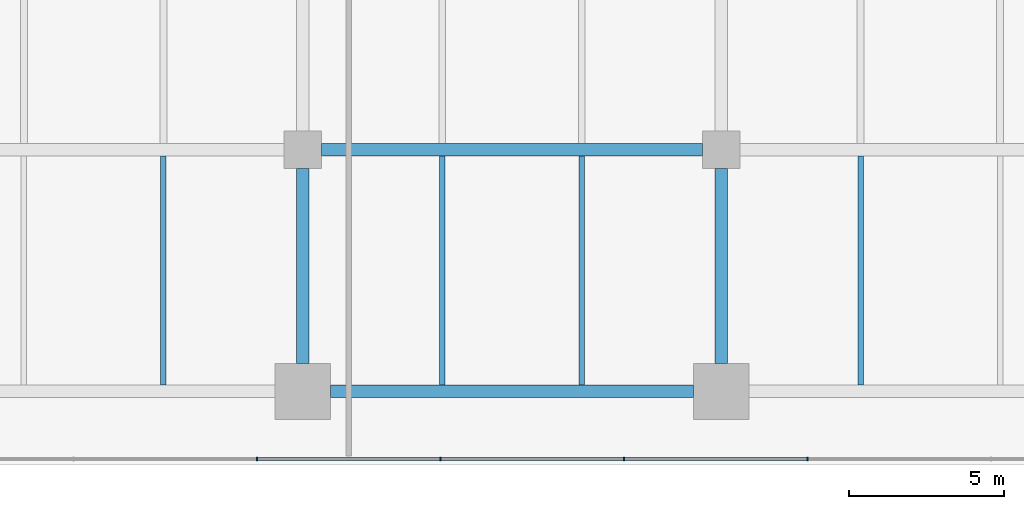
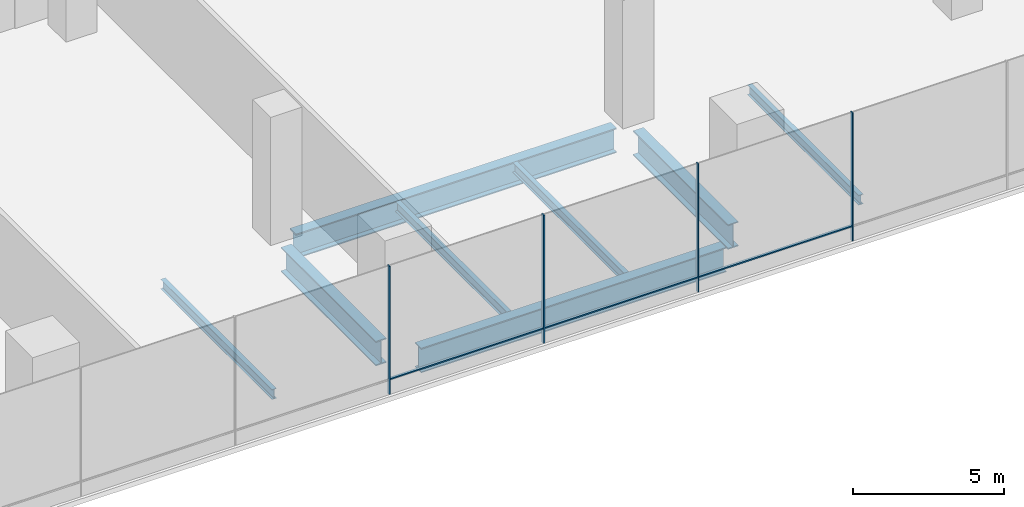
# One storey, part 6 of 26: 8 beams, 7 members, 1 element without a shape of its own.
"""IFC4 building model written with IfcOpenShell, lengths in metres."""

from ifc_helpers import new_model, si_unit, direction, frame, origin, origin_2d, place, context, subcontext, project, spatial, rectangle, i_section, extrude, material, layer, layer_set, material_profile, profile_set, type_object, element, aggregate, save


model = new_model("IFC4")

# Units and contexts
model_context = context("Model", 3, precision=1e-05, world=origin(), true_north=direction((0.0, 1.0)))
body_context = subcontext(model_context, "Body", "Model", "MODEL_VIEW")
ifc_project = project(units=[si_unit("LENGTHUNIT", "METRE"), si_unit("AREAUNIT", "SQUARE_METRE"), si_unit("VOLUMEUNIT", "CUBIC_METRE"), si_unit("PLANEANGLEUNIT", "RADIAN"), si_unit("MASSUNIT", "GRAM", prefix="KILO")], contexts=[model_context])

# Site, building, storey
site_placement = place(None, origin())
site = spatial("IfcSite", under=ifc_project, at=site_placement, CompositionType="ELEMENT")
building_placement = place(site_placement, origin())
building = spatial("IfcBuilding", under=site, at=building_placement, Name="Rattan Terrace Tower", CompositionType="ELEMENT")
storey_placement = place(building_placement, frame((0.0, 0.0, 7.199951171875)))
storey = spatial("IfcBuildingStorey", under=building, at=storey_placement, Name="L01", CompositionType="ELEMENT", Elevation=7.199951171875)

# Beams
ifc_material_1 = material(Name="Steel S355", Category="steel")
ifc_material_profile_1 = material_profile(ifc_material_1, i_section(OverallWidth=0.179931640625, OverallDepth=0.39990234375, WebThickness=0.008544921875, FlangeThickness=0.013427734375, FilletRadius=0.02099609375, at=origin_2d()), Name="IPE 400")
ifc_profile_set_1 = profile_set([ifc_material_profile_1], Name="Steel S355")
beam_type_1 = type_object("IfcBeamType", Name="Frame floor beam IPE 400", PredefinedType="JOIST", material=ifc_profile_set_1)
for number, where, z_axis, x_axis, name in (
    (1, (-4.5, -34.699951171875, -0.39990234375), (0.0, 1.0, 0.0), (-1.0, 0.0, 0.0), "bm-L01-007"),
    (2, (4.5, -34.699951171875, -0.39990234375), (0.0, 1.0, 0.0), (-1.0, 0.0, 0.0), "bm-L01-008"),
    (3, (9.0, -34.699951171875, -0.39990234375), (0.0, 1.0, 0.0), (-1.0, 0.0, 0.0), "bm-L01-009"),
    (4, (18.0, -34.699951171875, -0.39990234375), (0.0, 1.0, 0.0), (-1.0, 0.0, 0.0), "bm-L01-010"),
):
    element("IfcBeam", number, at=place(storey_placement, frame(where, z_axis=z_axis, x_axis=x_axis)), inside=storey, type_object=beam_type_1, Name=name, PredefinedType="JOIST", context=body_context, shape_type="SweptSolid", body=[
        extrude(i_section(OverallWidth=0.179931640625, OverallDepth=0.39990234375, WebThickness=0.008544921875, FlangeThickness=0.013427734375, FilletRadius=0.02099609375, at=origin_2d()), origin(), (0.0, 0.0, 1.0), 7.39990234375),
    ])
ifc_material_2 = material(Name="Steel S460", Category="steel")
ifc_material_profile_2 = material_profile(ifc_material_2, i_section(OverallWidth=0.39990234375, OverallDepth=1.0, WebThickness=0.01806640625, FlangeThickness=0.044921875, at=origin_2d()), Name="PG 1000x400-18-45")
ifc_profile_set_2 = profile_set([ifc_material_profile_2], Name="Steel S460")
beam_type_2 = type_object("IfcBeamType", Name="Frame podium girder PG 1000x400-18-45", PredefinedType="USERDEFINED", material=ifc_profile_set_2)
beam_1_placement = place(storey_placement, frame((0.89990234375, -34.89990234375, -0.699951171875), z_axis=(1.0, 0.0, 0.0), x_axis=(0.0, 1.0, 0.0)))
element("IfcBeam", 5, at=beam_1_placement, inside=storey, type_object=beam_type_2, Name="gdr-L01-004", ObjectType="PODIUM GIRDER", PredefinedType="USERDEFINED", context=body_context, shape_type="SweptSolid", body=[
    extrude(i_section(OverallWidth=0.39990234375, OverallDepth=1.0, WebThickness=0.01806640625, FlangeThickness=0.044921875, at=origin_2d()), origin(), (0.0, 0.0, 1.0), 11.7001953125),
])
for number, where, z_axis, x_axis, name in (
    (6, (0.0, -34.0, -0.699951171875), (0.0, 1.0, 0.0), (-1.0, 0.0, 0.0), "gdr-L01-010"),
    (7, (13.5, -34.0, -0.699951171875), (0.0, 1.0, 0.0), (-1.0, 0.0, 0.0), "gdr-L01-011"),
):
    element("IfcBeam", number, at=place(storey_placement, frame(where, z_axis=z_axis, x_axis=x_axis)), inside=storey, type_object=beam_type_2, Name=name, ObjectType="PODIUM GIRDER", PredefinedType="USERDEFINED", context=body_context, shape_type="SweptSolid", body=[
        extrude(i_section(OverallWidth=0.39990234375, OverallDepth=1.0, WebThickness=0.01806640625, FlangeThickness=0.044921875, at=origin_2d()), origin(), (0.0, 0.0, 1.0), 6.300048828125),
    ])
beam_2_placement = place(storey_placement, frame((0.60009765625, -27.10009765625, -0.699951171875), z_axis=(1.0, 0.0, 0.0), x_axis=(0.0, 1.0, 0.0)))
element("IfcBeam", 8, at=beam_2_placement, inside=storey, type_object=beam_type_2, Name="gdr-L01-017", ObjectType="PODIUM GIRDER", PredefinedType="USERDEFINED", context=body_context, shape_type="SweptSolid", body=[
    extrude(i_section(OverallWidth=0.39990234375, OverallDepth=1.0, WebThickness=0.01806640625, FlangeThickness=0.044921875, at=origin_2d()), origin(), (0.0, 0.0, 1.0), 12.2998046875),
])

# Curtain wall, members
ifc_material_3 = material(Name="Aluminium and glass", Category="aluminium")
ifc_layer = layer(ifc_material_3, 0.1201171875)
ifc_layer_set = layer_set([ifc_layer], Name="Station Storefront Curtain Wall")
curtain_wall_type = type_object("IfcCurtainWallType", Name="Station Storefront Curtain Wall", PredefinedType="NOTDEFINED", material=ifc_layer_set)
curtain_wall_placement = place(storey_placement, origin())
curtain_wall = element("IfcCurtainWall", 9, at=curtain_wall_placement, inside=storey, type_object=curtain_wall_type, Name="Storefront curtain wall L01-4", PredefinedType="NOTDEFINED")
ifc_material_4 = material(Name="Aluminium", Category="aluminium")
ifc_material_profile_3 = material_profile(ifc_material_4, rectangle(XDim=0.050048828125, YDim=0.1201171875, at=origin_2d()), Name="Aluminium 50x120")
ifc_profile_set_3 = profile_set([ifc_material_profile_3], Name="Aluminium")
member_type_1 = type_object("IfcMemberType", Name="Storefront CW Mullion 50x120", PredefinedType="MULLION", material=ifc_profile_set_3)
member_1_placement = place(storey_placement, frame((-1.47998046875, -37.080078125, 0.0), z_axis=(0.0, 0.0, 1.0), x_axis=(1.0, 0.0, 0.0)))
member_1 = element("IfcMember", 10, at=member_1_placement, type_object=member_type_1, Name="Mullion cwl-L01-004.7", PredefinedType="MULLION", context=body_context, shape_type="SweptSolid", body=[
    extrude(rectangle(XDim=0.050048828125, YDim=0.1201171875, at=origin_2d()), origin(), (0.0, 0.0, 1.0), 5.199951171875),
])
member_2_placement = place(storey_placement, frame((4.43994140625, -37.080078125, 0.0), z_axis=(0.0, 0.0, 1.0), x_axis=(1.0, 0.0, 0.0)))
member_2 = element("IfcMember", 11, at=member_2_placement, type_object=member_type_1, Name="Mullion cwl-L01-004.8", PredefinedType="MULLION", context=body_context, shape_type="SweptSolid", body=[
    extrude(rectangle(XDim=0.050048828125, YDim=0.1201171875, at=origin_2d()), origin(), (0.0, 0.0, 1.0), 5.199951171875),
])
member_3_placement = place(storey_placement, frame((10.360107421875, -37.080078125, 0.0), z_axis=(0.0, 0.0, 1.0), x_axis=(1.0, 0.0, 0.0)))
member_3 = element("IfcMember", 12, at=member_3_placement, type_object=member_type_1, Name="Mullion cwl-L01-004.9", PredefinedType="MULLION", context=body_context, shape_type="SweptSolid", body=[
    extrude(rectangle(XDim=0.050048828125, YDim=0.1201171875, at=origin_2d()), origin(), (0.0, 0.0, 1.0), 5.199951171875),
])
member_4_placement = place(storey_placement, frame((16.280029296875, -37.080078125, 0.0), z_axis=(0.0, 0.0, 1.0), x_axis=(1.0, 0.0, 0.0)))
member_4 = element("IfcMember", 13, at=member_4_placement, type_object=member_type_1, Name="Mullion cwl-L01-004.10", PredefinedType="MULLION", context=body_context, shape_type="SweptSolid", body=[
    extrude(rectangle(XDim=0.050048828125, YDim=0.1201171875, at=origin_2d()), origin(), (0.0, 0.0, 1.0), 5.199951171875),
])
ifc_material_5 = material(Name="Aluminium", Category="aluminium")
ifc_material_profile_4 = material_profile(ifc_material_5, rectangle(XDim=0.10009765625, YDim=0.050048828125, at=origin_2d()), Name="Aluminium 100x50")
ifc_profile_set_4 = profile_set([ifc_material_profile_4], Name="Aluminium")
member_type_2 = type_object("IfcMemberType", Name="Storefront CW Transom 100x50", PredefinedType="USERDEFINED", material=ifc_profile_set_4)
member_5_placement = place(storey_placement, frame((-1.455078125, -37.080078125, 0.60009765625), z_axis=(1.0, 0.0, 0.0), x_axis=(0.0, 1.0, 0.0)))
member_5 = element("IfcMember", 14, at=member_5_placement, type_object=member_type_2, Name="Transom cwl-L01-004.7", ObjectType="TRANSOM", PredefinedType="USERDEFINED", context=body_context, shape_type="SweptSolid", body=[
    extrude(rectangle(XDim=0.10009765625, YDim=0.050048828125, at=origin_2d()), origin(), (0.0, 0.0, 1.0), 5.8701171875),
])
member_6_placement = place(storey_placement, frame((4.465087890625, -37.080078125, 0.60009765625), z_axis=(1.0, 0.0, 0.0), x_axis=(0.0, 1.0, 0.0)))
member_6 = element("IfcMember", 15, at=member_6_placement, type_object=member_type_2, Name="Transom cwl-L01-004.8", ObjectType="TRANSOM", PredefinedType="USERDEFINED", context=body_context, shape_type="SweptSolid", body=[
    extrude(rectangle(XDim=0.10009765625, YDim=0.050048828125, at=origin_2d()), origin(), (0.0, 0.0, 1.0), 5.869873046875),
])
member_7_placement = place(storey_placement, frame((10.385009765625, -37.080078125, 0.60009765625), z_axis=(1.0, 0.0, 0.0), x_axis=(0.0, 1.0, 0.0)))
member_7 = element("IfcMember", 16, at=member_7_placement, type_object=member_type_2, Name="Transom cwl-L01-004.9", ObjectType="TRANSOM", PredefinedType="USERDEFINED", context=body_context, shape_type="SweptSolid", body=[
    extrude(rectangle(XDim=0.10009765625, YDim=0.050048828125, at=origin_2d()), origin(), (0.0, 0.0, 1.0), 5.869873046875),
])
aggregate(curtain_wall, [member_1, member_2, member_3, member_4, member_5, member_6, member_7])

save(model, "model.ifc")
